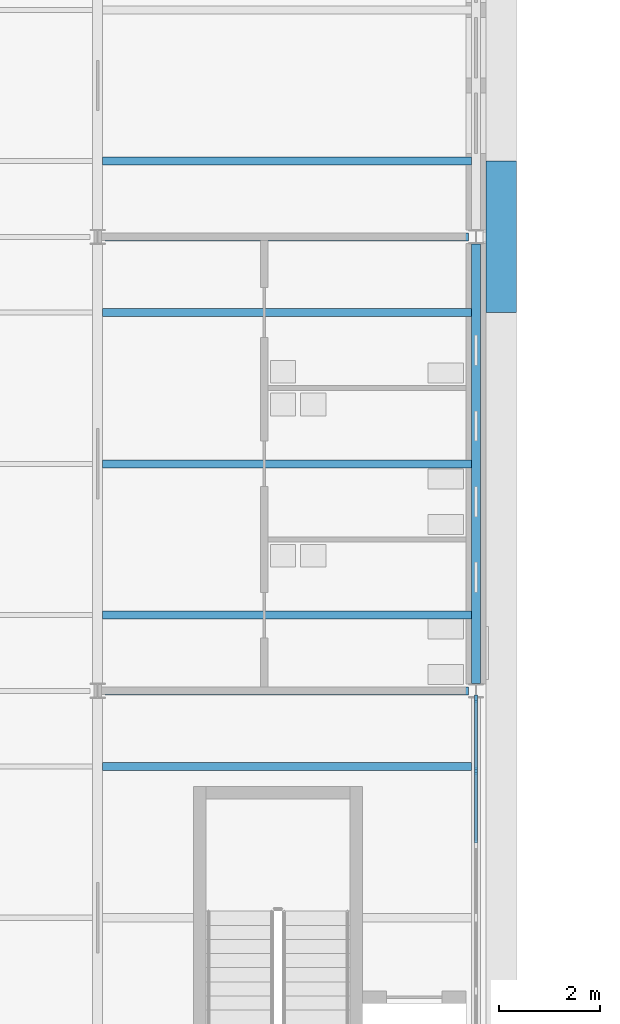
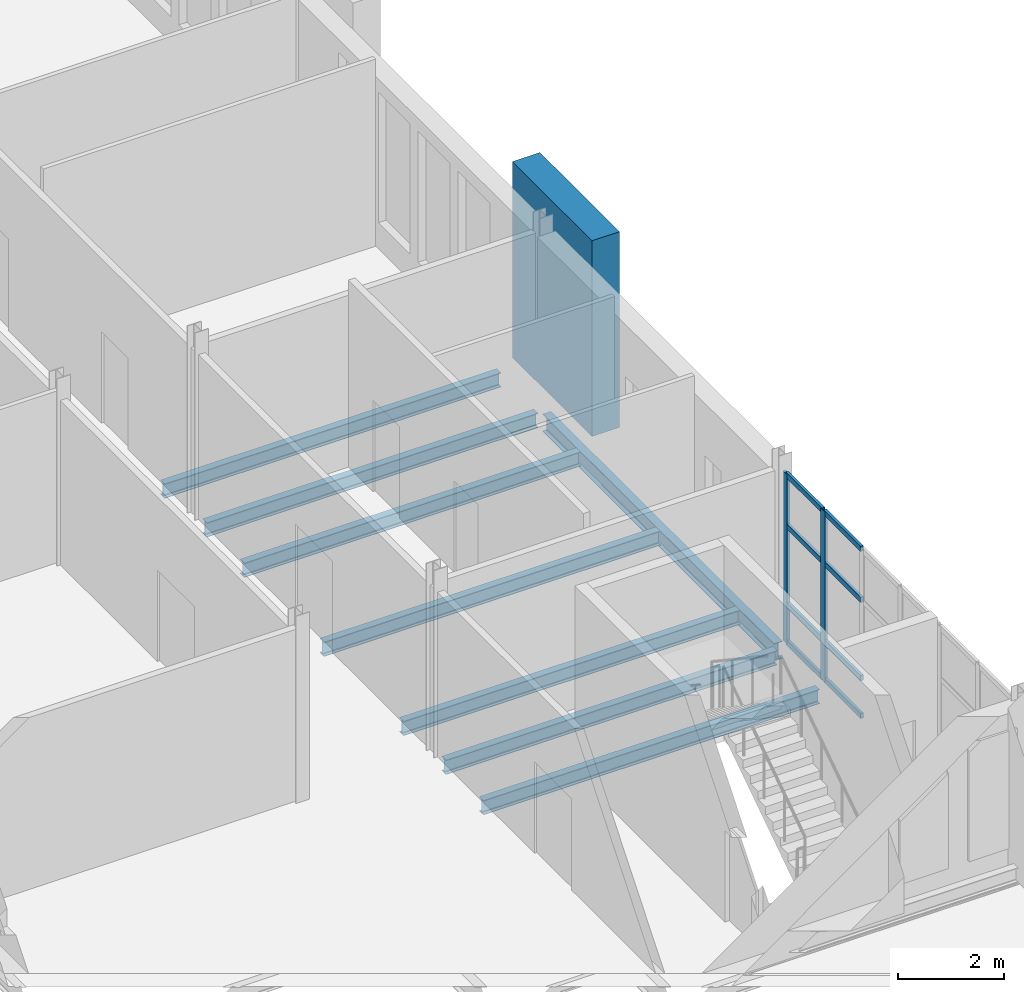
# One storey, part 31 of 134: 11 members, 8 beams, 1 element without a shape of its own.
"""IFC4 building model written with IfcOpenShell, lengths in metres."""

from ifc_helpers import new_model, si_unit, direction, frame, origin, origin_2d, place, context, subcontext, project, spatial, rectangle, i_section, extrude, material, layer, layer_set, material_profile, profile_set, type_object, element, aggregate, save


model = new_model("IFC4")

# Units and contexts
model_context = context("Model", 3, precision=1e-05, world=origin(), true_north=direction((0.0, 1.0)))
body_context = subcontext(model_context, "Body", "Model", "MODEL_VIEW")
ifc_project = project(units=[si_unit("LENGTHUNIT", "METRE"), si_unit("AREAUNIT", "SQUARE_METRE"), si_unit("VOLUMEUNIT", "CUBIC_METRE"), si_unit("PLANEANGLEUNIT", "RADIAN"), si_unit("MASSUNIT", "GRAM", prefix="KILO")], contexts=[model_context])

# Site, building, storey
site_placement = place(None, origin())
site = spatial("IfcSite", under=ifc_project, at=site_placement, CompositionType="ELEMENT")
building_placement = place(site_placement, origin())
building = spatial("IfcBuilding", under=site, at=building_placement, Name="Golden Quay Civic Hall", CompositionType="ELEMENT")
storey_placement = place(building_placement, frame((0.0, 0.0, 5.39990234375)))
storey = spatial("IfcBuildingStorey", under=building, at=storey_placement, Name="L01", CompositionType="ELEMENT", Elevation=5.39990234375)

# Curtain wall, members
ifc_material_1 = material(Name="Glass, laminated double glazed", Category="glass")
ifc_layer = layer(ifc_material_1, 0.199951171875)
ifc_layer_set = layer_set([ifc_layer], Name="Glazed core strip curtain wall")
curtain_wall_type = type_object("IfcCurtainWallType", Name="Glazed core strip curtain wall", PredefinedType="NOTDEFINED", material=ifc_layer_set)
curtain_wall_placement = place(storey_placement, origin())
curtain_wall = element("IfcCurtainWall", 1, at=curtain_wall_placement, inside=storey, type_object=curtain_wall_type, Name="Glazed core strip curtain wall L01 4", PredefinedType="NOTDEFINED")
ifc_material_2 = material(Name="Aluminium, anodised", Category="aluminium")
ifc_material_profile_1 = material_profile(ifc_material_2, rectangle(XDim=0.06005859375, YDim=0.159912109375, at=origin_2d()), Name="Aluminium 60 x 160")
ifc_profile_set_1 = profile_set([ifc_material_profile_1], Name="Aluminium, anodised")
member_type_1 = type_object("IfcMemberType", Name="Aluminium mullion 60 x 160", PredefinedType="MULLION", material=ifc_profile_set_1)
member_1_placement = place(storey_placement, frame((117.0, 8.8349609375, 0.0), z_axis=(0.0, 0.0, 1.0), x_axis=(1.0, 0.0, 0.0)))
member_1 = element("IfcMember", 2, at=member_1_placement, type_object=member_type_1, Name="CW2 mullion 1", PredefinedType="MULLION", context=body_context, shape_type="SweptSolid", body=[
    extrude(rectangle(XDim=0.06005859375, YDim=0.159912109375, at=origin_2d()), origin(), (0.0, 0.0, 1.0), 3.900146484375),
])
member_2_placement = place(storey_placement, frame((117.0, 7.409912109375, 0.0), z_axis=(0.0, 0.0, 1.0), x_axis=(1.0, 0.0, 0.0)))
member_2 = element("IfcMember", 3, at=member_2_placement, type_object=member_type_1, Name="CW2 mullion 2", PredefinedType="MULLION", context=body_context, shape_type="SweptSolid", body=[
    extrude(rectangle(XDim=0.06005859375, YDim=0.159912109375, at=origin_2d()), origin(), (0.0, 0.0, 1.0), 3.900146484375),
])
ifc_material_3 = material(Name="Aluminium, anodised", Category="aluminium")
ifc_material_profile_2 = material_profile(ifc_material_3, rectangle(XDim=0.06005859375, YDim=0.1201171875, at=origin_2d()), Name="Aluminium 60 x 120")
ifc_profile_set_2 = profile_set([ifc_material_profile_2], Name="Aluminium, anodised")
member_type_2 = type_object("IfcMemberType", Name="Aluminium transom 60 x 120", PredefinedType="USERDEFINED", material=ifc_profile_set_2)
member_3_placement = place(storey_placement, frame((117.0, 8.804931640625, 0.030029296875), z_axis=(0.0, -1.0, 0.0), x_axis=(1.0, 0.0, 0.0)))
member_3 = element("IfcMember", 4, at=member_3_placement, type_object=member_type_2, Name="CW2 transom 1.1", ObjectType="TRANSOM", PredefinedType="USERDEFINED", context=body_context, shape_type="SweptSolid", body=[
    extrude(rectangle(XDim=0.06005859375, YDim=0.1201171875, at=origin_2d()), origin(), (0.0, 0.0, 1.0), 1.364990234375),
])
member_4_placement = place(storey_placement, frame((117.0, 8.804931640625, 0.900146484375), z_axis=(0.0, -1.0, 0.0), x_axis=(1.0, 0.0, 0.0)))
member_4 = element("IfcMember", 5, at=member_4_placement, type_object=member_type_2, Name="CW2 transom 1.2", ObjectType="TRANSOM", PredefinedType="USERDEFINED", context=body_context, shape_type="SweptSolid", body=[
    extrude(rectangle(XDim=0.06005859375, YDim=0.1201171875, at=origin_2d()), origin(), (0.0, 0.0, 1.0), 1.364990234375),
])
member_5_placement = place(storey_placement, frame((117.0, 8.804931640625, 2.7001953125), z_axis=(0.0, -1.0, 0.0), x_axis=(1.0, 0.0, 0.0)))
member_5 = element("IfcMember", 6, at=member_5_placement, type_object=member_type_2, Name="CW2 transom 1.3", ObjectType="TRANSOM", PredefinedType="USERDEFINED", context=body_context, shape_type="SweptSolid", body=[
    extrude(rectangle(XDim=0.06005859375, YDim=0.1201171875, at=origin_2d()), origin(), (0.0, 0.0, 1.0), 1.364990234375),
])
member_6_placement = place(storey_placement, frame((117.0, 8.804931640625, 3.8701171875), z_axis=(0.0, -1.0, 0.0), x_axis=(1.0, 0.0, 0.0)))
member_6 = element("IfcMember", 7, at=member_6_placement, type_object=member_type_2, Name="CW2 transom 1.4", ObjectType="TRANSOM", PredefinedType="USERDEFINED", context=body_context, shape_type="SweptSolid", body=[
    extrude(rectangle(XDim=0.06005859375, YDim=0.1201171875, at=origin_2d()), origin(), (0.0, 0.0, 1.0), 1.364990234375),
])
member_7_placement = place(storey_placement, frame((117.0, 7.3798828125, 0.030029296875), z_axis=(0.0, -1.0, 0.0), x_axis=(1.0, 0.0, 0.0)))
member_7 = element("IfcMember", 8, at=member_7_placement, type_object=member_type_2, Name="CW2 transom 2.1", ObjectType="TRANSOM", PredefinedType="USERDEFINED", context=body_context, shape_type="SweptSolid", body=[
    extrude(rectangle(XDim=0.06005859375, YDim=0.1201171875, at=origin_2d()), origin(), (0.0, 0.0, 1.0), 1.394775390625),
])
member_8_placement = place(storey_placement, frame((117.0, 7.3798828125, 0.900146484375), z_axis=(0.0, -1.0, 0.0), x_axis=(1.0, 0.0, 0.0)))
member_8 = element("IfcMember", 9, at=member_8_placement, type_object=member_type_2, Name="CW2 transom 2.2", ObjectType="TRANSOM", PredefinedType="USERDEFINED", context=body_context, shape_type="SweptSolid", body=[
    extrude(rectangle(XDim=0.06005859375, YDim=0.1201171875, at=origin_2d()), origin(), (0.0, 0.0, 1.0), 1.394775390625),
])
member_9_placement = place(storey_placement, frame((117.0, 7.3798828125, 2.7001953125), z_axis=(0.0, -1.0, 0.0), x_axis=(1.0, 0.0, 0.0)))
member_9 = element("IfcMember", 10, at=member_9_placement, type_object=member_type_2, Name="CW2 transom 2.3", ObjectType="TRANSOM", PredefinedType="USERDEFINED", context=body_context, shape_type="SweptSolid", body=[
    extrude(rectangle(XDim=0.06005859375, YDim=0.1201171875, at=origin_2d()), origin(), (0.0, 0.0, 1.0), 1.394775390625),
])
member_10_placement = place(storey_placement, frame((117.0, 7.3798828125, 3.8701171875), z_axis=(0.0, -1.0, 0.0), x_axis=(1.0, 0.0, 0.0)))
member_10 = element("IfcMember", 11, at=member_10_placement, type_object=member_type_2, Name="CW2 transom 2.4", ObjectType="TRANSOM", PredefinedType="USERDEFINED", context=body_context, shape_type="SweptSolid", body=[
    extrude(rectangle(XDim=0.06005859375, YDim=0.1201171875, at=origin_2d()), origin(), (0.0, 0.0, 1.0), 1.394775390625),
])
aggregate(curtain_wall, [member_1, member_2, member_3, member_4, member_5, member_6, member_7, member_8, member_9, member_10])

# Member
ifc_material_4 = material(Name="Concrete C40/50", Category="concrete")
ifc_material_profile_3 = material_profile(ifc_material_4, rectangle(XDim=3.0, YDim=0.60009765625, at=origin_2d()), Name="RC 3000x600")
ifc_profile_set_3 = profile_set([ifc_material_profile_3], Name="Concrete C40/50")
member_type_3 = type_object("IfcMemberType", Name="Precast concrete facade pier 3000 x 600", PredefinedType="POST", material=ifc_profile_set_3)
member_11_placement = place(storey_placement, frame((117.5, 18.0, 0.0), z_axis=(0.0, 0.0, 1.0), x_axis=(0.0, 1.0, 0.0)))
element("IfcMember", 12, at=member_11_placement, inside=storey, type_object=member_type_3, Name="Precast concrete facade pier 3000 x 600 L01 28", PredefinedType="POST", context=body_context, shape_type="SweptSolid", body=[
    extrude(rectangle(XDim=3.0, YDim=0.60009765625, at=origin_2d()), origin(), (0.0, 0.0, 1.0), 4.5),
])

# Beams
ifc_material_5 = material(Name="Steel S355", Category="steel")
ifc_material_profile_4 = material_profile(ifc_material_5, i_section(OverallWidth=0.159912109375, OverallDepth=0.330078125, WebThickness=0.007568359375, FlangeThickness=0.011474609375, FilletRadius=0.01806640625, at=origin_2d()), Name="IPE 330")
ifc_profile_set_4 = profile_set([ifc_material_profile_4], Name="Steel S355")
beam_type_1 = type_object("IfcBeamType", Name="Steel beam IPE 330", PredefinedType="BEAM", material=ifc_profile_set_4)
for number, where, z_axis, x_axis, name in (
    (13, (109.64990234375, 9.0, -0.364990234375), (1.0, 0.0, 0.0), (0.0, 1.0, 0.0), "Beam S9-109.5"),
    (14, (109.64990234375, 18.0, -0.364990234375), (1.0, 0.0, 0.0), (0.0, 1.0, 0.0), "Beam S18-109.5"),
):
    element("IfcBeam", number, at=place(storey_placement, frame(where, z_axis=z_axis, x_axis=x_axis)), inside=storey, type_object=beam_type_1, Name=name, PredefinedType="BEAM", context=body_context, shape_type="SweptSolid", body=[
        extrude(i_section(OverallWidth=0.159912109375, OverallDepth=0.330078125, WebThickness=0.007568359375, FlangeThickness=0.011474609375, FilletRadius=0.01806640625, at=origin_2d()), origin(), (0.0, 0.0, 1.0), 7.2001953125),
    ])
ifc_material_6 = material(Name="Steel S355", Category="steel")
ifc_material_profile_5 = material_profile(ifc_material_6, i_section(OverallWidth=0.179931640625, OverallDepth=0.39990234375, WebThickness=0.008544921875, FlangeThickness=0.013427734375, FilletRadius=0.02099609375, at=origin_2d()), Name="IPE 400")
ifc_profile_set_5 = profile_set([ifc_material_profile_5], Name="Steel S355")
beam_type_2 = type_object("IfcBeamType", Name="Steel beam IPE 400", PredefinedType="BEAM", material=ifc_profile_set_5)
beam_placement = place(storey_placement, frame((117.0, 9.14501953125, -0.39990234375), z_axis=(0.0, 1.0, 0.0), x_axis=(-1.0, 0.0, 0.0)))
element("IfcBeam", 15, at=beam_placement, inside=storey, type_object=beam_type_2, Name="Beam L117-9", PredefinedType="BEAM", context=body_context, shape_type="SweptSolid", body=[
    extrude(i_section(OverallWidth=0.179931640625, OverallDepth=0.39990234375, WebThickness=0.008544921875, FlangeThickness=0.013427734375, FilletRadius=0.02099609375, at=origin_2d()), origin(), (0.0, 0.0, 1.0), 8.7099609375),
])
ifc_material_7 = material(Name="Steel S355", Category="steel")
ifc_material_profile_6 = material_profile(ifc_material_7, i_section(OverallWidth=0.159912109375, OverallDepth=0.330078125, WebThickness=0.007568359375, FlangeThickness=0.011474609375, FilletRadius=0.01806640625, at=origin_2d()), Name="IPE 330")
ifc_profile_set_6 = profile_set([ifc_material_profile_6], Name="Steel S355")
beam_type_3 = type_object("IfcBeamType", Name="Steel joist IPE 330", PredefinedType="JOIST", material=ifc_profile_set_6)
for number, where, z_axis, x_axis, name in (
    (16, (109.60009765625, 7.5, -0.364990234375), (1.0, 0.0, 0.0), (0.0, 1.0, 0.0), "Joist J7.5-109.5"),
    (17, (109.60009765625, 10.5, -0.364990234375), (1.0, 0.0, 0.0), (0.0, 1.0, 0.0), "Joist J10.5-109.5"),
    (18, (109.60009765625, 13.5, -0.364990234375), (1.0, 0.0, 0.0), (0.0, 1.0, 0.0), "Joist J13.5-109.5"),
    (19, (109.60009765625, 16.5, -0.364990234375), (1.0, 0.0, 0.0), (0.0, 1.0, 0.0), "Joist J16.5-109.5"),
    (20, (109.60009765625, 19.5, -0.364990234375), (1.0, 0.0, 0.0), (0.0, 1.0, 0.0), "Joist J19.5-109.5"),
):
    element("IfcBeam", number, at=place(storey_placement, frame(where, z_axis=z_axis, x_axis=x_axis)), inside=storey, type_object=beam_type_3, Name=name, PredefinedType="JOIST", context=body_context, shape_type="SweptSolid", body=[
        extrude(i_section(OverallWidth=0.159912109375, OverallDepth=0.330078125, WebThickness=0.007568359375, FlangeThickness=0.011474609375, FilletRadius=0.01806640625, at=origin_2d()), origin(), (0.0, 0.0, 1.0), 7.309814453125),
    ])

save(model, "model.ifc")
